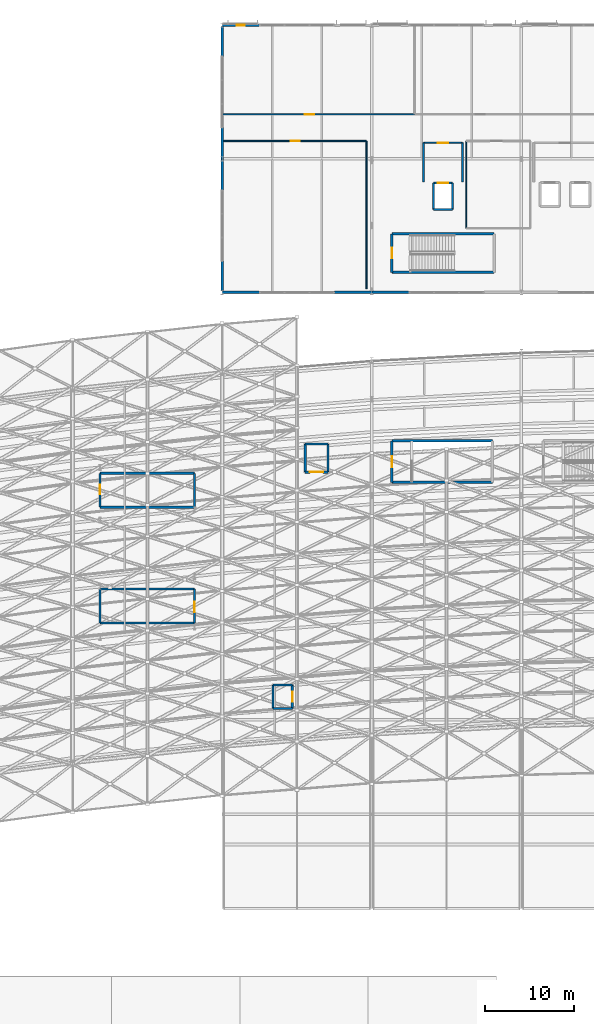
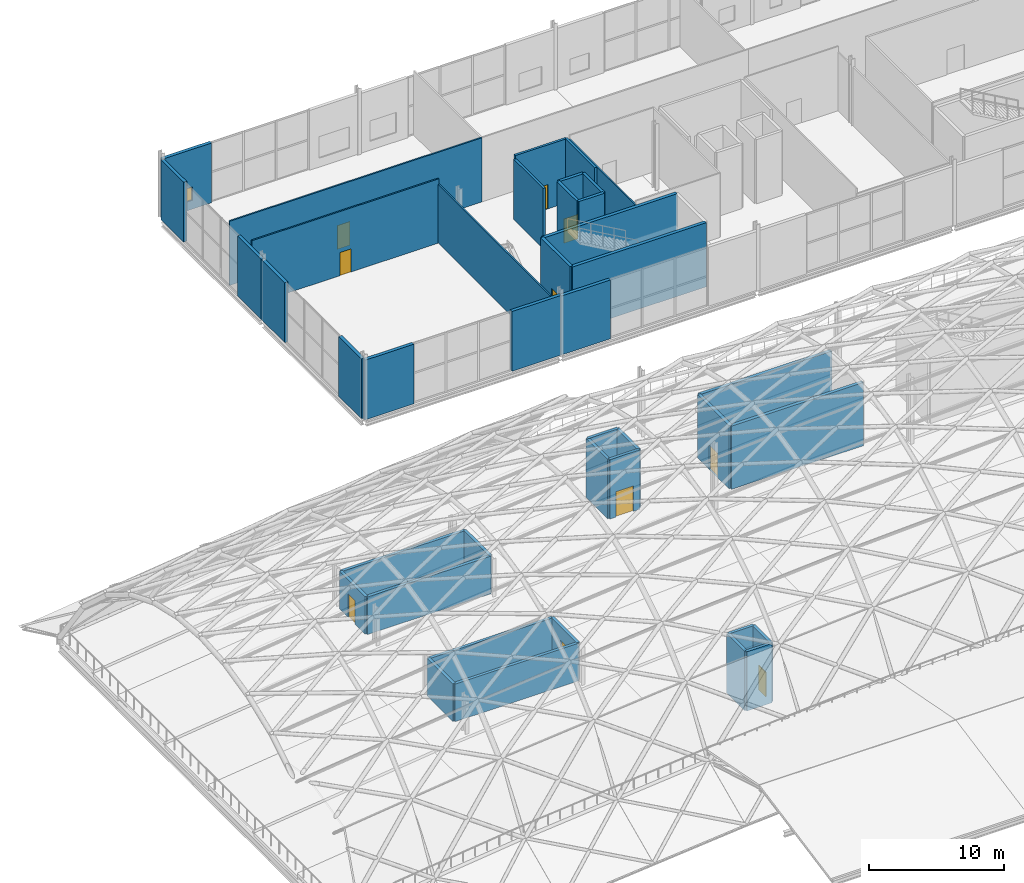
# One storey, part 82 of 100: 41 walls, 10 doors, 1 window, 11 openings.
"""IFC4 building model written with IfcOpenShell, lengths in metres."""

from ifc_helpers import new_model, si_unit, direction, frame, frame_2d, origin, place, context, subcontext, project, spatial, rectangle, extrude, material, layer, layer_set, type_object, element, fill, save


model = new_model("IFC4")

# Units and contexts
model_context = context("Model", 3, precision=1e-05, world=origin(), true_north=direction((0.0, 1.0)))
body_context = subcontext(model_context, "Body", "Model", "MODEL_VIEW")
ifc_project = project(units=[si_unit("LENGTHUNIT", "METRE"), si_unit("AREAUNIT", "SQUARE_METRE"), si_unit("VOLUMEUNIT", "CUBIC_METRE"), si_unit("PLANEANGLEUNIT", "RADIAN"), si_unit("MASSUNIT", "GRAM", prefix="KILO")], contexts=[model_context])

# Site, building, storey
site_placement = place(None, origin())
site = spatial("IfcSite", under=ifc_project, at=site_placement, CompositionType="ELEMENT")
building_placement = place(site_placement, origin())
building = spatial("IfcBuilding", under=site, at=building_placement, Name="Kimbaza Rail Terminus", CompositionType="ELEMENT")
storey_placement = place(building_placement, frame((0.0, 0.0, 10.800048828125)))
storey = spatial("IfcBuildingStorey", under=building, at=storey_placement, Name="L02", CompositionType="ELEMENT", Elevation=10.800048828125)

# Wall, opening, window
ifc_material_1 = material(Name="Precast concrete C40/50", Category="concrete")
ifc_layer_1 = layer(ifc_material_1, 0.280029296875)
ifc_layer_set_1 = layer_set([ifc_layer_1], Name="Precast concrete C40/50")
wall_type_1 = type_object("IfcWallType", Name="ARC-WL-EXT280", PredefinedType="STANDARD", material=ifc_layer_set_1)
wall_1_placement = place(storey_placement, frame((55.199951171875, 133.0, 0.0), z_axis=(0.0, 0.0, 1.0), x_axis=(1.0, 0.0, 0.0)))
wall_1 = element("IfcWall", 1, at=wall_1_placement, inside=storey, type_object=wall_type_1, Name="Operations North Pier L02 0A", PredefinedType="STANDARD", context=body_context, shape_type="SweptSolid", body=[
    extrude(rectangle(XDim=4.199951171875, YDim=0.280029296875, at=frame_2d((2.10009765625, 0.0))), origin(), (0.0, 0.0, 1.0), 5.405029296875),
])
opening_1_placement = place(wall_1_placement, frame((1.64990234375, 0.0, 0.800048828125)))
opening_1 = element("IfcOpeningElement", 2, at=opening_1_placement, cuts=wall_1, Name="Opening W-20", PredefinedType="OPENING", context=body_context, shape_type="SweptSolid", body=[
    extrude(rectangle(XDim=0.89990234375, YDim=1.199951171875, at=frame_2d((0.449951171875, 0.60009765625))), frame((0.0, 0.14990234375, 0.0), z_axis=(0.0, -1.0, 0.0), x_axis=(1.0, 0.0, 0.0)), (0.0, 0.0, 1.0), 0.300048828125),
])
ifc_material_2 = material(Name="Thermally broken aluminium and solar low-E glass", Category="aluminium")
window_type = type_object("IfcWindowType", Name="ARC-WIN-W-20", PartitioningType="SINGLE_PANEL", PredefinedType="WINDOW", material=ifc_material_2)
window_placement = place(opening_1_placement, origin())
window = element("IfcWindow", 3, at=window_placement, inside=storey, type_object=window_type, Name="North Facade Window W-20", OverallHeight=1.199951171875, OverallWidth=0.89990234375, PartitioningType="SINGLE_PANEL", PredefinedType="WINDOW", context=body_context, shape_type="SweptSolid", body=[
    extrude(rectangle(XDim=0.89990234375, YDim=1.199951171875, at=frame_2d((0.449951171875, 0.60009765625))), frame((0.0, 0.030029296875, 0.0), z_axis=(0.0, -1.0, 0.0), x_axis=(1.0, 0.0, 0.0)), (0.0, 0.0, 1.0), 0.06005859375),
])
fill(opening_1, window)

# Walls
for number, where, z_axis, x_axis, name in (
    (4, (55.199951171875, 103.0, 0.0), (0.0, 0.0, 1.0), (1.0, 0.0, 0.0), "Operations South Wall L02 0A"),
    (5, (67.800048828125, 103.0, 0.0), (0.0, 0.0, 1.0), (1.0, 0.0, 0.0), "Operations South Wall L02 0B"),
):
    element("IfcWall", number, at=place(storey_placement, frame(where, z_axis=z_axis, x_axis=x_axis)), inside=storey, type_object=wall_type_1, Name=name, PredefinedType="STANDARD", context=body_context, shape_type="SweptSolid", body=[
        extrude(rectangle(XDim=4.199951171875, YDim=0.280029296875, at=frame_2d((2.10009765625, 0.0))), origin(), (0.0, 0.0, 1.0), 5.405029296875),
    ])
wall_2_placement = place(storey_placement, frame((72.0, 103.0, 0.0), z_axis=(0.0, 0.0, 1.0), x_axis=(1.0, 0.0, 0.0)))
element("IfcWall", 6, at=wall_2_placement, inside=storey, type_object=wall_type_1, Name="Operations South Wall L02 1A", PredefinedType="STANDARD", context=body_context, shape_type="SweptSolid", body=[
    extrude(rectangle(XDim=4.199951171875, YDim=0.280029296875, at=frame_2d((2.10009765625, 0.0))), origin(), (0.0, 0.0, 1.0), 5.324951171875),
])
wall_3_placement = place(storey_placement, frame((55.199951171875, 103.139892578125, 0.0), z_axis=(0.0, 0.0, 1.0), x_axis=(0.0, 1.0, 0.0)))
element("IfcWall", 7, at=wall_3_placement, inside=storey, type_object=wall_type_1, Name="Operations W End Pier L02", PredefinedType="STANDARD", context=body_context, shape_type="SweptSolid", body=[
    extrude(rectangle(XDim=3.360107421875, YDim=0.280029296875, at=frame_2d((1.68017578125, 0.0))), origin(), (0.0, 0.0, 1.0), 5.405029296875),
])
for number, where, z_axis, x_axis, name in (
    (8, (55.199951171875, 114.5, 0.0), (0.0, 0.0, 1.0), (0.0, 1.0, 0.0), "Operations W Corner Wall L02"),
    (9, (55.199951171875, 118.0, 0.0), (0.0, 0.0, 1.0), (0.0, 1.0, 0.0), "Operations W End Pier L02"),
):
    element("IfcWall", number, at=place(storey_placement, frame(where, z_axis=z_axis, x_axis=x_axis)), inside=storey, type_object=wall_type_1, Name=name, PredefinedType="STANDARD", context=body_context, shape_type="SweptSolid", body=[
        extrude(rectangle(XDim=3.5, YDim=0.280029296875, at=frame_2d((1.75, 0.0))), origin(), (0.0, 0.0, 1.0), 5.405029296875),
    ])
wall_4_placement = place(storey_placement, frame((55.199951171875, 129.5, 0.0), z_axis=(0.0, 0.0, 1.0), x_axis=(0.0, 1.0, 0.0)))
element("IfcWall", 10, at=wall_4_placement, inside=storey, type_object=wall_type_1, Name="Operations W Corner Wall L02", PredefinedType="STANDARD", context=body_context, shape_type="SweptSolid", body=[
    extrude(rectangle(XDim=3.360107421875, YDim=0.280029296875, at=frame_2d((1.68017578125, 0.0))), origin(), (0.0, 0.0, 1.0), 5.405029296875),
])
ifc_material_3 = material(Name="Concrete blockwork C30/37", Category="masonry")
ifc_layer_2 = layer(ifc_material_3, 0.199951171875)
ifc_layer_set_2 = layer_set([ifc_layer_2], Name="Concrete blockwork C30/37")
wall_type_2 = type_object("IfcWallType", Name="ARC-WL-FIRE200", PredefinedType="PARTITIONING", material=ifc_layer_set_2)
wall_5_placement = place(storey_placement, frame((82.199951171875, 115.39990234375, 0.0), z_axis=(0.0, 0.0, 1.0), x_axis=(0.0, 1.0, 0.0)))
element("IfcWall", 11, at=wall_5_placement, inside=storey, type_object=wall_type_2, Name="Firefighting Lobby LF-01 Partition (east)", PredefinedType="PARTITIONING", context=body_context, shape_type="SweptSolid", body=[
    extrude(rectangle(XDim=4.400146484375, YDim=0.199951171875, at=frame_2d((2.2001953125, 0.0))), origin(), (0.0, 0.0, 1.0), 5.800048828125),
])

# Wall, opening, door
wall_6_placement = place(storey_placement, frame((82.199951171875, 119.800048828125, 0.0), z_axis=(0.0, 0.0, 1.0), x_axis=(-1.0, 0.0, 0.0)))
wall_6 = element("IfcWall", 12, at=wall_6_placement, inside=storey, type_object=wall_type_2, Name="Firefighting Lobby LF-01 Partition (north)", PredefinedType="PARTITIONING", context=body_context, shape_type="SweptSolid", body=[
    extrude(rectangle(XDim=4.39990234375, YDim=0.199951171875, at=frame_2d((2.199951171875, 0.0))), origin(), (0.0, 0.0, 1.0), 5.800048828125),
])
opening_2_placement = place(wall_6_placement, frame((1.625, 0.0, 0.0)))
opening_2 = element("IfcOpeningElement", 13, at=opening_2_placement, cuts=wall_6, Name="Opening FD-03", PredefinedType="OPENING", context=body_context, shape_type="SweptSolid", body=[
    extrude(rectangle(XDim=1.14990234375, YDim=2.199951171875, at=frame_2d((0.574951171875, 1.10009765625))), frame((0.0, 0.10986328125, 0.0), z_axis=(0.0, -1.0, 0.0), x_axis=(1.0, 0.0, 0.0)), (0.0, 0.0, 1.0), 0.219970703125),
])
ifc_material_4 = material(Name="Firefighting lobby self-closing steel door", Category="steel")
door_type_1 = type_object("IfcDoorType", Name="ARC-DR-FD115", OperationType="NOTDEFINED", PredefinedType="DOOR", material=ifc_material_4)
door_1_placement = place(opening_2_placement, origin())
door_1 = element("IfcDoor", 14, at=door_1_placement, inside=storey, type_object=door_type_1, Name="IDR-SPC-FFL-LF-01-L02", OperationType="SINGLE_SWING_RIGHT", OverallHeight=2.199951171875, OverallWidth=1.14990234375, PredefinedType="DOOR", context=body_context, shape_type="SweptSolid", body=[
    extrude(rectangle(XDim=1.14990234375, YDim=2.199951171875, at=frame_2d((0.574951171875, 1.10009765625))), frame((0.0, 0.02490234375, 0.0), z_axis=(0.0, -1.0, 0.0), x_axis=(1.0, 0.0, 0.0)), (0.0, 0.0, 1.0), 0.050048828125),
])
fill(opening_2, door_1)

# Walls
wall_7_placement = place(storey_placement, frame((77.800048828125, 119.800048828125, 0.0), z_axis=(0.0, 0.0, 1.0), x_axis=(0.0, -1.0, 0.0)))
element("IfcWall", 15, at=wall_7_placement, inside=storey, type_object=wall_type_2, Name="Firefighting Lobby LF-01 Partition (west)", PredefinedType="PARTITIONING", context=body_context, shape_type="SweptSolid", body=[
    extrude(rectangle(XDim=4.400146484375, YDim=0.199951171875, at=frame_2d((2.2001953125, 0.0))), origin(), (0.0, 0.0, 1.0), 5.46484375),
])
ifc_material_5 = material(Name="Moisture-resistant stud wall", Category="gypsum")
ifc_layer_3 = layer(ifc_material_5, 0.1201171875)
ifc_layer_set_3 = layer_set([ifc_layer_3], Name="Moisture-resistant stud wall")
wall_type_3 = type_object("IfcWallType", Name="ARC-WL-PART120", PredefinedType="PARTITIONING", material=ifc_layer_set_3)
wall_8_placement = place(storey_placement, frame((82.60009765625, 120.0, 0.0), z_axis=(0.0, 0.0, 1.0), x_axis=(0.0, -1.0, 0.0)))
element("IfcWall", 16, at=wall_8_placement, inside=storey, type_object=wall_type_3, Name="L02 Traction Metering Workshop Partition (west)", PredefinedType="PARTITIONING", context=body_context, shape_type="SweptSolid", body=[
    extrude(rectangle(XDim=9.800048828125, YDim=0.1201171875, at=frame_2d((4.89990234375, 0.0))), origin(), (0.0, 0.0, 1.0), 5.46484375),
])

# Wall, opening, door
ifc_material_6 = material(Name="Acoustic gypsum stud partition", Category="gypsum")
ifc_layer_4 = layer(ifc_material_6, 0.1298828125)
ifc_layer_set_4 = layer_set([ifc_layer_4], Name="Acoustic gypsum stud partition")
wall_type_4 = type_object("IfcWallType", Name="ARC-WL-PART130", PredefinedType="PARTITIONING", material=ifc_layer_set_4)
wall_9_placement = place(storey_placement, frame((55.219970703125, 123.0, 0.0), z_axis=(0.0, 0.0, 1.0), x_axis=(1.0, 0.0, 0.0)))
wall_9 = element("IfcWall", 17, at=wall_9_placement, inside=storey, type_object=wall_type_4, Name="Interlocking Signalling Relay Suite A Partition (south)", PredefinedType="PARTITIONING", context=body_context, shape_type="SweptSolid", body=[
    extrude(rectangle(XDim=21.580078125, YDim=0.1298828125, at=frame_2d((10.7900390625, 0.0))), origin(), (0.0, 0.0, 1.0), 5.800048828125),
])
opening_3_placement = place(wall_9_placement, frame((10.330078125, 0.0, 0.0), z_axis=(0.0, 0.0, 1.0), x_axis=(-1.0, 0.0, 0.0)))
opening_3 = element("IfcOpeningElement", 18, at=opening_3_placement, cuts=wall_9, Name="Opening ID-04", PredefinedType="OPENING", context=body_context, shape_type="SweptSolid", body=[
    extrude(rectangle(XDim=1.10009765625, YDim=2.14990234375, at=frame_2d((0.550048828125, 1.074951171875))), frame((0.0, 0.074951171875, 0.0), z_axis=(0.0, -1.0, 0.0), x_axis=(1.0, 0.0, 0.0)), (0.0, 0.0, 1.0), 0.14990234375),
])
ifc_material_7 = material(Name="Hardwood veneer acoustic office door", Category="wood")
door_type_2 = type_object("IfcDoorType", Name="ARC-DR-ID110", OperationType="NOTDEFINED", PredefinedType="DOOR", material=ifc_material_7)
door_2_placement = place(opening_3_placement, origin())
door_2 = element("IfcDoor", 19, at=door_2_placement, inside=storey, type_object=door_type_2, Name="IDR-SPC-V5N-L02-01", OperationType="SINGLE_SWING_LEFT", OverallHeight=2.14990234375, OverallWidth=1.10009765625, PredefinedType="DOOR", context=body_context, shape_type="SweptSolid", body=[
    extrude(rectangle(XDim=1.10009765625, YDim=2.14990234375, at=frame_2d((0.550048828125, 1.074951171875))), frame((0.0, 0.02490234375, 0.0), z_axis=(0.0, -1.0, 0.0), x_axis=(1.0, 0.0, 0.0)), (0.0, 0.0, 1.0), 0.050048828125),
])
fill(opening_3, door_2)

# Wall
wall_10_placement = place(storey_placement, frame((71.39990234375, 103.39990234375, 0.0), z_axis=(0.0, 0.0, 1.0), x_axis=(0.0, 1.0, 0.0)))
element("IfcWall", 20, at=wall_10_placement, inside=storey, type_object=wall_type_4, Name="L02 West Signalling Design Office Partition (east)", PredefinedType="PARTITIONING", context=body_context, shape_type="SweptSolid", body=[
    extrude(rectangle(XDim=16.60009765625, YDim=0.1298828125, at=frame_2d((8.300048828125, 0.0))), origin(), (0.0, 0.0, 1.0), 5.294921875),
])

# Wall, opening, door
wall_11_placement = place(storey_placement, frame((71.39990234375, 120.0, 0.0), z_axis=(0.0, 0.0, 1.0), x_axis=(-1.0, 0.0, 0.0)))
wall_11 = element("IfcWall", 21, at=wall_11_placement, inside=storey, type_object=wall_type_4, Name="L02 West Signalling Design Office Partition (north)", PredefinedType="PARTITIONING", context=body_context, shape_type="SweptSolid", body=[
    extrude(rectangle(XDim=16.0, YDim=0.1298828125, at=frame_2d((8.0, 0.0))), origin(), (0.0, 0.0, 1.0), 5.800048828125),
])
opening_4_placement = place(wall_11_placement, frame((8.489990234375, 0.0, 0.0), z_axis=(0.0, 0.0, 1.0), x_axis=(-1.0, 0.0, 0.0)))
opening_4 = element("IfcOpeningElement", 22, at=opening_4_placement, cuts=wall_11, Name="Opening ID-10", PredefinedType="OPENING", context=body_context, shape_type="SweptSolid", body=[
    extrude(rectangle(XDim=0.97998046875, YDim=2.10009765625, at=frame_2d((0.489990234375, 1.050048828125))), frame((0.0, 0.074951171875, 0.0), z_axis=(0.0, -1.0, 0.0), x_axis=(1.0, 0.0, 0.0)), (0.0, 0.0, 1.0), 0.14990234375),
])
ifc_material_8 = material(Name="Washroom suite privacy door", Category="wood")
door_type_3 = type_object("IfcDoorType", Name="ARC-DR-ID098", OperationType="NOTDEFINED", PredefinedType="DOOR", material=ifc_material_8)
door_3_placement = place(opening_4_placement, origin())
door_3 = element("IfcDoor", 23, at=door_3_placement, inside=storey, type_object=door_type_3, Name="IDR-SPC-V5S-L02-1", OperationType="SINGLE_SWING_LEFT", OverallHeight=2.10009765625, OverallWidth=0.97998046875, PredefinedType="DOOR", context=body_context, shape_type="SweptSolid", body=[
    extrude(rectangle(XDim=0.97998046875, YDim=2.10009765625, at=frame_2d((0.489990234375, 1.050048828125))), frame((0.0, 0.02490234375, 0.0), z_axis=(0.0, -1.0, 0.0), x_axis=(1.0, 0.0, 0.0)), (0.0, 0.0, 1.0), 0.050048828125),
])
fill(opening_4, door_3)

# Wall
ifc_material_9 = material(Name="Concrete C40/50", Category="concrete")
ifc_layer_5 = layer(ifc_material_9, 0.25)
ifc_layer_set_5 = layer_set([ifc_layer_5], Name="Concrete C40/50")
wall_type_5 = type_object("IfcWallType", Name="STR-WL-CORE250", PredefinedType="SHEAR", material=ifc_layer_set_5)
wall_12_placement = place(storey_placement, frame((60.919921875, 56.27001953125, 0.0), z_axis=(0.0, 0.0, 1.0), x_axis=(1.0, 0.0, 0.0)))
element("IfcWall", 24, at=wall_12_placement, inside=storey, type_object=wall_type_5, Name="Lift Shaft Wall LP-05 L02-1", PredefinedType="SHEAR", context=body_context, shape_type="SweptSolid", body=[
    extrude(rectangle(XDim=2.16015625, YDim=0.25, at=frame_2d((1.080078125, 0.0))), origin(), (0.0, 0.0, 1.0), 5.369873046875),
])

# Wall, opening, door
wall_13_placement = place(storey_placement, frame((63.080078125, 56.27001953125, 0.0), z_axis=(0.0, 0.0, 1.0), x_axis=(0.0, 1.0, 0.0)))
wall_13 = element("IfcWall", 25, at=wall_13_placement, inside=storey, type_object=wall_type_5, Name="Lift Shaft Wall LP-05 L02-2", PredefinedType="SHEAR", context=body_context, shape_type="SweptSolid", body=[
    extrude(rectangle(XDim=2.659912109375, YDim=0.25, at=frame_2d((1.330078125, 0.0))), origin(), (0.0, 0.0, 1.0), 5.369873046875),
])
opening_5_placement = place(wall_13_placement, frame((0.780029296875, 0.0, 0.0)))
opening_5 = element("IfcOpeningElement", 26, at=opening_5_placement, cuts=wall_13, Name="Opening LD-01", PredefinedType="OPENING", context=body_context, shape_type="SweptSolid", body=[
    extrude(rectangle(XDim=1.10009765625, YDim=2.199951171875, at=frame_2d((0.550048828125, 1.10009765625))), frame((0.0, 0.135009765625, 0.0), z_axis=(0.0, -1.0, 0.0), x_axis=(1.0, 0.0, 0.0)), (0.0, 0.0, 1.0), 0.27001953125),
])
ifc_material_10 = material(Name="Brushed stainless steel sliding landing door", Category="steel")
door_type_4 = type_object("IfcDoorType", Name="ARC-DR-LD110", OperationType="NOTDEFINED", PredefinedType="DOOR", material=ifc_material_10)
door_4_placement = place(opening_5_placement, origin())
door_4 = element("IfcDoor", 27, at=door_4_placement, inside=storey, type_object=door_type_4, Name="LDR-LP-05-L02", OperationType="SLIDING_TO_RIGHT", OverallHeight=2.199951171875, OverallWidth=1.10009765625, PredefinedType="DOOR", context=body_context, shape_type="SweptSolid", body=[
    extrude(rectangle(XDim=1.10009765625, YDim=2.199951171875, at=frame_2d((0.550048828125, 1.10009765625))), frame((0.0, 0.02490234375, 0.0), z_axis=(0.0, -1.0, 0.0), x_axis=(1.0, 0.0, 0.0)), (0.0, 0.0, 1.0), 0.050048828125),
])
fill(opening_5, door_4)

# Walls
wall_14_placement = place(storey_placement, frame((63.080078125, 58.929931640625, 0.0), z_axis=(0.0, 0.0, 1.0), x_axis=(-1.0, 0.0, 0.0)))
element("IfcWall", 28, at=wall_14_placement, inside=storey, type_object=wall_type_5, Name="Lift Shaft Wall LP-05 L02-3", PredefinedType="SHEAR", context=body_context, shape_type="SweptSolid", body=[
    extrude(rectangle(XDim=2.16015625, YDim=0.25, at=frame_2d((1.080078125, 0.0))), origin(), (0.0, 0.0, 1.0), 5.369873046875),
])
wall_15_placement = place(storey_placement, frame((60.919921875, 58.929931640625, 0.0), z_axis=(0.0, 0.0, 1.0), x_axis=(0.0, -1.0, 0.0)))
element("IfcWall", 29, at=wall_15_placement, inside=storey, type_object=wall_type_5, Name="Lift Shaft Wall LP-05 L02-4", PredefinedType="SHEAR", context=body_context, shape_type="SweptSolid", body=[
    extrude(rectangle(XDim=2.659912109375, YDim=0.25, at=frame_2d((1.330078125, 0.0))), origin(), (0.0, 0.0, 1.0), 5.369873046875),
])
wall_16_placement = place(storey_placement, frame((78.919921875, 112.320068359375, 0.0), z_axis=(0.0, 0.0, 1.0), x_axis=(1.0, 0.0, 0.0)))
element("IfcWall", 30, at=wall_16_placement, inside=storey, type_object=wall_type_5, Name="Lift Shaft Wall LF-01 L02-1", PredefinedType="SHEAR", context=body_context, shape_type="SweptSolid", body=[
    extrude(rectangle(XDim=2.16015625, YDim=0.25, at=frame_2d((1.080078125, 0.0))), origin(), (0.0, 0.0, 1.0), 5.800048828125),
])
wall_17_placement = place(storey_placement, frame((81.080078125, 112.320068359375, 0.0), z_axis=(0.0, 0.0, 1.0), x_axis=(0.0, 1.0, 0.0)))
element("IfcWall", 31, at=wall_17_placement, inside=storey, type_object=wall_type_5, Name="Lift Shaft Wall LF-01 L02-2", PredefinedType="SHEAR", context=body_context, shape_type="SweptSolid", body=[
    extrude(rectangle(XDim=2.9599609375, YDim=0.25, at=frame_2d((1.47998046875, 0.0))), origin(), (0.0, 0.0, 1.0), 5.800048828125),
])

# Wall, opening, door
wall_18_placement = place(storey_placement, frame((81.080078125, 115.280029296875, 0.0), z_axis=(0.0, 0.0, 1.0), x_axis=(-1.0, 0.0, 0.0)))
wall_18 = element("IfcWall", 32, at=wall_18_placement, inside=storey, type_object=wall_type_5, Name="Lift Shaft Wall LF-01 L02-3", PredefinedType="SHEAR", context=body_context, shape_type="SweptSolid", body=[
    extrude(rectangle(XDim=2.16015625, YDim=0.25, at=frame_2d((1.080078125, 0.0))), origin(), (0.0, 0.0, 1.0), 5.800048828125),
])
opening_6_placement = place(wall_18_placement, frame((0.47998046875, 0.0, 0.0)))
opening_6 = element("IfcOpeningElement", 33, at=opening_6_placement, cuts=wall_18, Name="Opening LD-02", PredefinedType="OPENING", context=body_context, shape_type="SweptSolid", body=[
    extrude(rectangle(XDim=1.199951171875, YDim=2.199951171875, at=frame_2d((0.60009765625, 1.10009765625))), frame((0.0, 0.135009765625, 0.0), z_axis=(0.0, -1.0, 0.0), x_axis=(1.0, 0.0, 0.0)), (0.0, 0.0, 1.0), 0.27001953125),
])
ifc_material_11 = material(Name="Firefighting stainless steel landing door", Category="steel")
door_type_5 = type_object("IfcDoorType", Name="ARC-DR-LD120", OperationType="NOTDEFINED", PredefinedType="DOOR", material=ifc_material_11)
door_5_placement = place(opening_6_placement, origin())
door_5 = element("IfcDoor", 34, at=door_5_placement, inside=storey, type_object=door_type_5, Name="LDR-LF-01-L02", OperationType="SLIDING_TO_RIGHT", OverallHeight=2.199951171875, OverallWidth=1.199951171875, PredefinedType="DOOR", context=body_context, shape_type="SweptSolid", body=[
    extrude(rectangle(XDim=1.199951171875, YDim=2.199951171875, at=frame_2d((0.60009765625, 1.10009765625))), frame((0.0, 0.02490234375, 0.0), z_axis=(0.0, -1.0, 0.0), x_axis=(1.0, 0.0, 0.0)), (0.0, 0.0, 1.0), 0.050048828125),
])
fill(opening_6, door_5)

# Wall
wall_19_placement = place(storey_placement, frame((78.919921875, 115.280029296875, 0.0), z_axis=(0.0, 0.0, 1.0), x_axis=(0.0, -1.0, 0.0)))
element("IfcWall", 35, at=wall_19_placement, inside=storey, type_object=wall_type_5, Name="Lift Shaft Wall LF-01 L02-4", PredefinedType="SHEAR", context=body_context, shape_type="SweptSolid", body=[
    extrude(rectangle(XDim=2.9599609375, YDim=0.25, at=frame_2d((1.47998046875, 0.0))), origin(), (0.0, 0.0, 1.0), 5.800048828125),
])

# Wall, opening, door
wall_20_placement = place(storey_placement, frame((64.52001953125, 82.820068359375, 0.0), z_axis=(0.0, 0.0, 1.0), x_axis=(1.0, 0.0, 0.0)))
wall_20 = element("IfcWall", 36, at=wall_20_placement, inside=storey, type_object=wall_type_5, Name="Lift Shaft Wall LG-01 L02-1", PredefinedType="SHEAR", context=body_context, shape_type="SweptSolid", body=[
    extrude(rectangle(XDim=2.56005859375, YDim=0.25, at=frame_2d((1.280029296875, 0.0))), origin(), (0.0, 0.0, 1.0), 5.369873046875),
])
opening_7_placement = place(wall_20_placement, frame((0.530029296875, 0.0, 0.0)))
opening_7 = element("IfcOpeningElement", 37, at=opening_7_placement, cuts=wall_20, Name="Opening LD-03", PredefinedType="OPENING", context=body_context, shape_type="SweptSolid", body=[
    extrude(rectangle(XDim=1.5, YDim=2.300048828125, at=frame_2d((0.75, 1.14990234375))), frame((0.0, 0.135009765625, 0.0), z_axis=(0.0, -1.0, 0.0), x_axis=(1.0, 0.0, 0.0)), (0.0, 0.0, 1.0), 0.27001953125),
])
ifc_material_12 = material(Name="Heavy goods stainless steel landing door", Category="steel")
door_type_6 = type_object("IfcDoorType", Name="ARC-DR-LD150", OperationType="NOTDEFINED", PredefinedType="DOOR", material=ifc_material_12)
door_6_placement = place(opening_7_placement, origin())
door_6 = element("IfcDoor", 38, at=door_6_placement, inside=storey, type_object=door_type_6, Name="LDR-LG-01-L02", OperationType="SLIDING_TO_RIGHT", OverallHeight=2.300048828125, OverallWidth=1.5, PredefinedType="DOOR", context=body_context, shape_type="SweptSolid", body=[
    extrude(rectangle(XDim=1.5, YDim=2.300048828125, at=frame_2d((0.75, 1.14990234375))), frame((0.0, 0.02490234375, 0.0), z_axis=(0.0, -1.0, 0.0), x_axis=(1.0, 0.0, 0.0)), (0.0, 0.0, 1.0), 0.050048828125),
])
fill(opening_7, door_6)

# Walls
wall_21_placement = place(storey_placement, frame((67.080078125, 82.820068359375, 0.0), z_axis=(0.0, 0.0, 1.0), x_axis=(0.0, 1.0, 0.0)))
element("IfcWall", 39, at=wall_21_placement, inside=storey, type_object=wall_type_5, Name="Lift Shaft Wall LG-01 L02-2", PredefinedType="SHEAR", context=body_context, shape_type="SweptSolid", body=[
    extrude(rectangle(XDim=3.159912109375, YDim=0.25, at=frame_2d((1.580078125, 0.0))), origin(), (0.0, 0.0, 1.0), 5.369873046875),
])
wall_22_placement = place(storey_placement, frame((67.080078125, 85.97998046875, 0.0), z_axis=(0.0, 0.0, 1.0), x_axis=(-1.0, 0.0, 0.0)))
element("IfcWall", 40, at=wall_22_placement, inside=storey, type_object=wall_type_5, Name="Lift Shaft Wall LG-01 L02-3", PredefinedType="SHEAR", context=body_context, shape_type="SweptSolid", body=[
    extrude(rectangle(XDim=2.56005859375, YDim=0.25, at=frame_2d((1.280029296875, 0.0))), origin(), (0.0, 0.0, 1.0), 5.369873046875),
])
wall_23_placement = place(storey_placement, frame((64.52001953125, 85.97998046875, 0.0), z_axis=(0.0, 0.0, 1.0), x_axis=(0.0, -1.0, 0.0)))
element("IfcWall", 41, at=wall_23_placement, inside=storey, type_object=wall_type_5, Name="Lift Shaft Wall LG-01 L02-4", PredefinedType="SHEAR", context=body_context, shape_type="SweptSolid", body=[
    extrude(rectangle(XDim=3.159912109375, YDim=0.25, at=frame_2d((1.580078125, 0.0))), origin(), (0.0, 0.0, 1.0), 5.369873046875),
])
wall_24_placement = place(storey_placement, frame((41.5, 65.889892578125, 0.0), z_axis=(0.0, 0.0, 1.0), x_axis=(1.0, 0.0, 0.0)))
element("IfcWall", 42, at=wall_24_placement, inside=storey, type_object=wall_type_5, Name="Island Platform 2-3 Air-Conditioned Waiting Lounge 2 Partition (south)", PredefinedType="SHEAR", context=body_context, shape_type="SweptSolid", body=[
    extrude(rectangle(XDim=10.60009765625, YDim=0.25, at=frame_2d((5.300048828125, 0.0))), origin(), (0.0, 0.0, 1.0), 3.39990234375),
])

# Wall, opening, door
wall_25_placement = place(storey_placement, frame((52.10009765625, 65.889892578125, 0.0), z_axis=(0.0, 0.0, 1.0), x_axis=(0.0, 1.0, 0.0)))
wall_25 = element("IfcWall", 43, at=wall_25_placement, inside=storey, type_object=wall_type_5, Name="Island Platform 2-3 Air-Conditioned Waiting Lounge 2 Partition (east)", PredefinedType="SHEAR", context=body_context, shape_type="SweptSolid", body=[
    extrude(rectangle(XDim=3.800048828125, YDim=0.25, at=frame_2d((1.89990234375, 0.0))), origin(), (0.0, 0.0, 1.0), 3.39990234375),
])
opening_8_placement = place(wall_25_placement, frame((1.22509765625, 0.0, 0.0)))
opening_8 = element("IfcOpeningElement", 44, at=opening_8_placement, cuts=wall_25, Name="Opening FD-03", PredefinedType="OPENING", context=body_context, shape_type="SweptSolid", body=[
    extrude(rectangle(XDim=1.14990234375, YDim=2.199951171875, at=frame_2d((0.574951171875, 1.10009765625))), frame((0.0, 0.135009765625, 0.0), z_axis=(0.0, -1.0, 0.0), x_axis=(1.0, 0.0, 0.0)), (0.0, 0.0, 1.0), 0.27001953125),
])
door_7_placement = place(opening_8_placement, origin())
door_7 = element("IfcDoor", 45, at=door_7_placement, inside=storey, type_object=door_type_1, Name="IDR-SPC-L02-POD2-B02", OperationType="SINGLE_SWING_LEFT", OverallHeight=2.199951171875, OverallWidth=1.14990234375, PredefinedType="DOOR", context=body_context, shape_type="SweptSolid", body=[
    extrude(rectangle(XDim=1.14990234375, YDim=2.199951171875, at=frame_2d((0.574951171875, 1.10009765625))), frame((0.0, 0.02490234375, 0.0), z_axis=(0.0, -1.0, 0.0), x_axis=(1.0, 0.0, 0.0)), (0.0, 0.0, 1.0), 0.050048828125),
])
fill(opening_8, door_7)

# Walls
wall_26_placement = place(storey_placement, frame((52.10009765625, 69.68994140625, 0.0), z_axis=(0.0, 0.0, 1.0), x_axis=(-1.0, 0.0, 0.0)))
element("IfcWall", 46, at=wall_26_placement, inside=storey, type_object=wall_type_5, Name="Island Platform 2-3 Air-Conditioned Waiting Lounge 2 Partition (north)", PredefinedType="SHEAR", context=body_context, shape_type="SweptSolid", body=[
    extrude(rectangle(XDim=10.60009765625, YDim=0.25, at=frame_2d((5.300048828125, 0.0))), origin(), (0.0, 0.0, 1.0), 3.39990234375),
])
wall_27_placement = place(storey_placement, frame((41.5, 69.68994140625, 0.0), z_axis=(0.0, 0.0, 1.0), x_axis=(0.0, -1.0, 0.0)))
element("IfcWall", 47, at=wall_27_placement, inside=storey, type_object=wall_type_5, Name="Island Platform 2-3 Air-Conditioned Waiting Lounge 2 Partition (west)", PredefinedType="SHEAR", context=body_context, shape_type="SweptSolid", body=[
    extrude(rectangle(XDim=3.800048828125, YDim=0.25, at=frame_2d((1.89990234375, 0.0))), origin(), (0.0, 0.0, 1.0), 3.39990234375),
])
wall_28_placement = place(storey_placement, frame((41.5, 78.889892578125, 0.0), z_axis=(0.0, 0.0, 1.0), x_axis=(1.0, 0.0, 0.0)))
element("IfcWall", 48, at=wall_28_placement, inside=storey, type_object=wall_type_5, Name="Island Platform 4-5 Air-Conditioned Waiting Lounge 2 Partition (south)", PredefinedType="SHEAR", context=body_context, shape_type="SweptSolid", body=[
    extrude(rectangle(XDim=10.60009765625, YDim=0.25, at=frame_2d((5.300048828125, 0.0))), origin(), (0.0, 0.0, 1.0), 3.39990234375),
])
wall_29_placement = place(storey_placement, frame((52.10009765625, 78.889892578125, 0.0), z_axis=(0.0, 0.0, 1.0), x_axis=(0.0, 1.0, 0.0)))
element("IfcWall", 49, at=wall_29_placement, inside=storey, type_object=wall_type_5, Name="Island Platform 4-5 Air-Conditioned Waiting Lounge 2 Partition (east)", PredefinedType="SHEAR", context=body_context, shape_type="SweptSolid", body=[
    extrude(rectangle(XDim=3.800048828125, YDim=0.25, at=frame_2d((1.89990234375, 0.0))), origin(), (0.0, 0.0, 1.0), 3.39990234375),
])
wall_30_placement = place(storey_placement, frame((52.10009765625, 82.68994140625, 0.0), z_axis=(0.0, 0.0, 1.0), x_axis=(-1.0, 0.0, 0.0)))
element("IfcWall", 50, at=wall_30_placement, inside=storey, type_object=wall_type_5, Name="Island Platform 4-5 Air-Conditioned Waiting Lounge 2 Partition (north)", PredefinedType="SHEAR", context=body_context, shape_type="SweptSolid", body=[
    extrude(rectangle(XDim=10.60009765625, YDim=0.25, at=frame_2d((5.300048828125, 0.0))), origin(), (0.0, 0.0, 1.0), 3.39990234375),
])

# Wall, opening, door
wall_31_placement = place(storey_placement, frame((41.5, 82.68994140625, 0.0), z_axis=(0.0, 0.0, 1.0), x_axis=(0.0, -1.0, 0.0)))
wall_31 = element("IfcWall", 51, at=wall_31_placement, inside=storey, type_object=wall_type_5, Name="Island Platform 4-5 Air-Conditioned Waiting Lounge 2 Partition (west)", PredefinedType="SHEAR", context=body_context, shape_type="SweptSolid", body=[
    extrude(rectangle(XDim=3.800048828125, YDim=0.25, at=frame_2d((1.89990234375, 0.0))), origin(), (0.0, 0.0, 1.0), 3.39990234375),
])
opening_9_placement = place(wall_31_placement, frame((1.27490234375, 0.0, 0.0)))
opening_9 = element("IfcOpeningElement", 52, at=opening_9_placement, cuts=wall_31, Name="Opening FD-04", PredefinedType="OPENING", context=body_context, shape_type="SweptSolid", body=[
    extrude(rectangle(XDim=1.050048828125, YDim=2.14990234375, at=frame_2d((0.52490234375, 1.074951171875))), frame((0.0, 0.135009765625, 0.0), z_axis=(0.0, -1.0, 0.0), x_axis=(1.0, 0.0, 0.0)), (0.0, 0.0, 1.0), 0.27001953125),
])
ifc_material_13 = material(Name="Plant room steel fire door", Category="steel")
door_type_7 = type_object("IfcDoorType", Name="ARC-DR-FD105", OperationType="NOTDEFINED", PredefinedType="DOOR", material=ifc_material_13)
door_8_placement = place(opening_9_placement, origin())
door_8 = element("IfcDoor", 53, at=door_8_placement, inside=storey, type_object=door_type_7, Name="IDR-SPC-L02-POD3-B02", OperationType="SINGLE_SWING_RIGHT", OverallHeight=2.14990234375, OverallWidth=1.050048828125, PredefinedType="DOOR", context=body_context, shape_type="SweptSolid", body=[
    extrude(rectangle(XDim=1.050048828125, YDim=2.14990234375, at=frame_2d((0.52490234375, 1.074951171875))), frame((0.0, 0.02490234375, 0.0), z_axis=(0.0, -1.0, 0.0), x_axis=(1.0, 0.0, 0.0)), (0.0, 0.0, 1.0), 0.050048828125),
])
fill(opening_9, door_8)

# Walls
ifc_material_14 = material(Name="Concrete C40/50", Category="concrete")
ifc_layer_6 = layer(ifc_material_14, 0.280029296875)
ifc_layer_set_6 = layer_set([ifc_layer_6], Name="Concrete C40/50")
wall_type_6 = type_object("IfcWallType", Name="STR-WL-CORE280", PredefinedType="SHEAR", material=ifc_layer_set_6)
for number, where, z_axis, x_axis, name in (
    (54, (74.260009765625, 105.260009765625, 0.0), (0.0, 0.0, 1.0), (1.0, 0.0, 0.0), "Operations West Exit Stair Shaft Wall L02-1"),
    (55, (85.739990234375, 109.580078125, 0.0), (0.0, 0.0, 1.0), (-1.0, 0.0, 0.0), "Operations West Exit Stair Shaft Wall L02-3"),
):
    element("IfcWall", number, at=place(storey_placement, frame(where, z_axis=z_axis, x_axis=x_axis)), inside=storey, type_object=wall_type_6, Name=name, PredefinedType="SHEAR", context=body_context, shape_type="SweptSolid", body=[
        extrude(rectangle(XDim=11.47998046875, YDim=0.280029296875, at=frame_2d((5.739990234375, 0.0))), origin(), (0.0, 0.0, 1.0), 5.800048828125),
    ])

# Wall, opening, door
wall_32_placement = place(storey_placement, frame((74.260009765625, 109.580078125, 0.0), z_axis=(0.0, 0.0, 1.0), x_axis=(0.0, -1.0, 0.0)))
wall_32 = element("IfcWall", 56, at=wall_32_placement, inside=storey, type_object=wall_type_6, Name="Operations West Exit Stair Shaft Wall L02-4", PredefinedType="SHEAR", context=body_context, shape_type="SweptSolid", body=[
    extrude(rectangle(XDim=4.320068359375, YDim=0.280029296875, at=frame_2d((2.16015625, 0.0))), origin(), (0.0, 0.0, 1.0), 5.800048828125),
])
opening_10_placement = place(wall_32_placement, frame((1.5849609375, 0.0, 0.0)))
opening_10 = element("IfcOpeningElement", 57, at=opening_10_placement, cuts=wall_32, Name="Opening FD-03", PredefinedType="OPENING", context=body_context, shape_type="SweptSolid", body=[
    extrude(rectangle(XDim=1.14990234375, YDim=2.199951171875, at=frame_2d((0.574951171875, 1.10009765625))), frame((0.0, 0.14990234375, 0.0), z_axis=(0.0, -1.0, 0.0), x_axis=(1.0, 0.0, 0.0)), (0.0, 0.0, 1.0), 0.300048828125),
])
door_9_placement = place(opening_10_placement, origin())
door_9 = element("IfcDoor", 58, at=door_9_placement, inside=storey, type_object=door_type_1, Name="SDR-ST-W1-L02", OperationType="SINGLE_SWING_RIGHT", OverallHeight=2.199951171875, OverallWidth=1.14990234375, PredefinedType="DOOR", context=body_context, shape_type="SweptSolid", body=[
    extrude(rectangle(XDim=1.14990234375, YDim=2.199951171875, at=frame_2d((0.574951171875, 1.10009765625))), frame((0.0, 0.02490234375, 0.0), z_axis=(0.0, -1.0, 0.0), x_axis=(1.0, 0.0, 0.0)), (0.0, 0.0, 1.0), 0.050048828125),
])
fill(opening_10, door_9)

# Walls
for number, where, z_axis, x_axis, name in (
    (59, (74.260009765625, 81.659912109375, 0.0), (0.0, 0.0, 1.0), (1.0, 0.0, 0.0), "Platform West Concourse Stair Shaft Wall L02-1"),
    (60, (85.5400390625, 86.340087890625, 0.0), (0.0, 0.0, 1.0), (-1.0, 0.0, 0.0), "Platform West Concourse Stair Shaft Wall L02-3"),
):
    element("IfcWall", number, at=place(storey_placement, frame(where, z_axis=z_axis, x_axis=x_axis)), inside=storey, type_object=wall_type_6, Name=name, PredefinedType="SHEAR", context=body_context, shape_type="SweptSolid", body=[
        extrude(rectangle(XDim=11.280029296875, YDim=0.280029296875, at=frame_2d((5.64013671875, 0.0))), origin(), (0.0, 0.0, 1.0), 5.719970703125),
    ])

# Wall, opening, door
wall_33_placement = place(storey_placement, frame((74.260009765625, 86.340087890625, 0.0), z_axis=(0.0, 0.0, 1.0), x_axis=(0.0, -1.0, 0.0)))
wall_33 = element("IfcWall", 61, at=wall_33_placement, inside=storey, type_object=wall_type_6, Name="Platform West Concourse Stair Shaft Wall L02-4", PredefinedType="SHEAR", context=body_context, shape_type="SweptSolid", body=[
    extrude(rectangle(XDim=4.68017578125, YDim=0.280029296875, at=frame_2d((2.340087890625, 0.0))), origin(), (0.0, 0.0, 1.0), 5.719970703125),
])
opening_11_placement = place(wall_33_placement, frame((1.715087890625, 0.0, 0.0)))
opening_11 = element("IfcOpeningElement", 62, at=opening_11_placement, cuts=wall_33, Name="Opening FD-02", PredefinedType="OPENING", context=body_context, shape_type="SweptSolid", body=[
    extrude(rectangle(XDim=1.25, YDim=2.199951171875, at=frame_2d((0.625, 1.10009765625))), frame((0.0, 0.14990234375, 0.0), z_axis=(0.0, -1.0, 0.0), x_axis=(1.0, 0.0, 0.0)), (0.0, 0.0, 1.0), 0.300048828125),
])
ifc_material_15 = material(Name="Galvanised painted steel fire stair door", Category="steel")
door_type_8 = type_object("IfcDoorType", Name="ARC-DR-FD125", OperationType="NOTDEFINED", PredefinedType="DOOR", material=ifc_material_15)
door_10_placement = place(opening_11_placement, origin())
door_10 = element("IfcDoor", 63, at=door_10_placement, inside=storey, type_object=door_type_8, Name="SDR-ST-C1-L02", OperationType="SINGLE_SWING_RIGHT", OverallHeight=2.199951171875, OverallWidth=1.25, PredefinedType="DOOR", context=body_context, shape_type="SweptSolid", body=[
    extrude(rectangle(XDim=1.25, YDim=2.199951171875, at=frame_2d((0.625, 1.10009765625))), frame((0.0, 0.02490234375, 0.0), z_axis=(0.0, -1.0, 0.0), x_axis=(1.0, 0.0, 0.0)), (0.0, 0.0, 1.0), 0.050048828125),
])
fill(opening_11, door_10)

save(model, "model.ifc")
